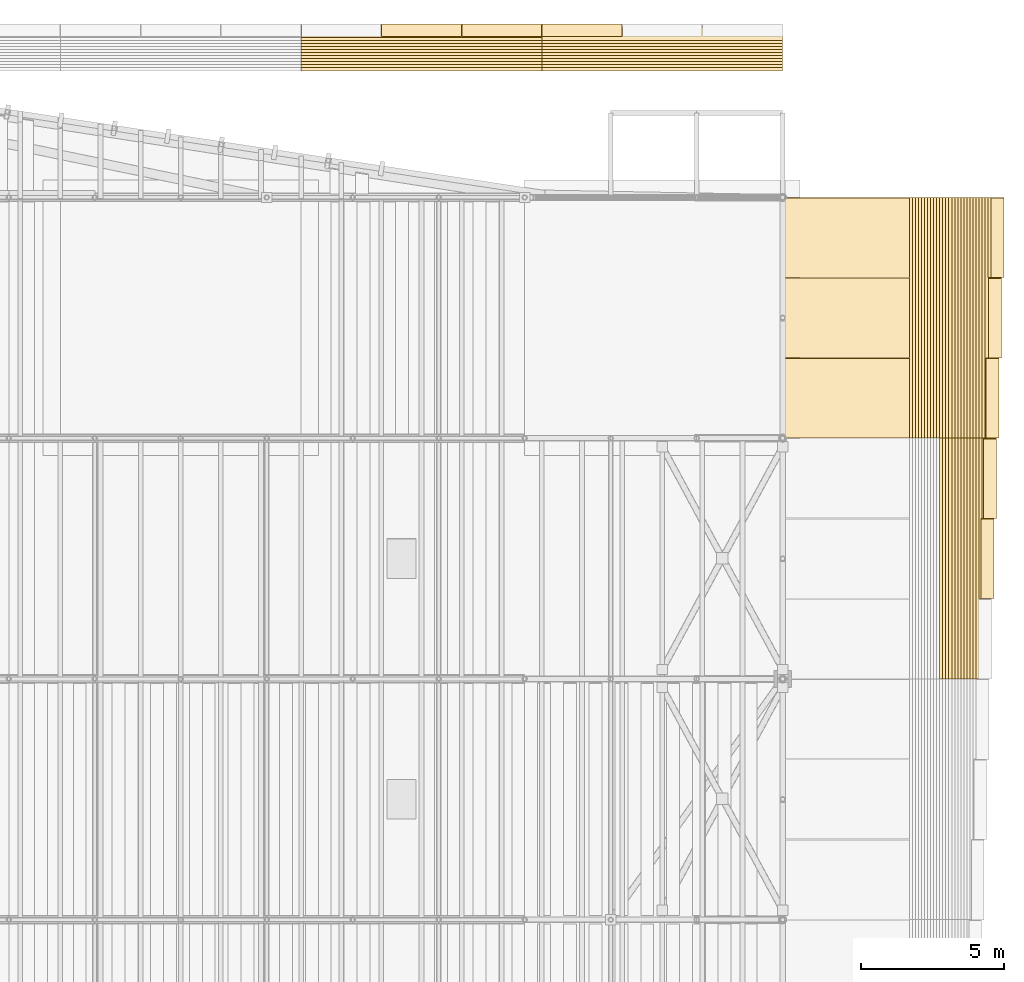
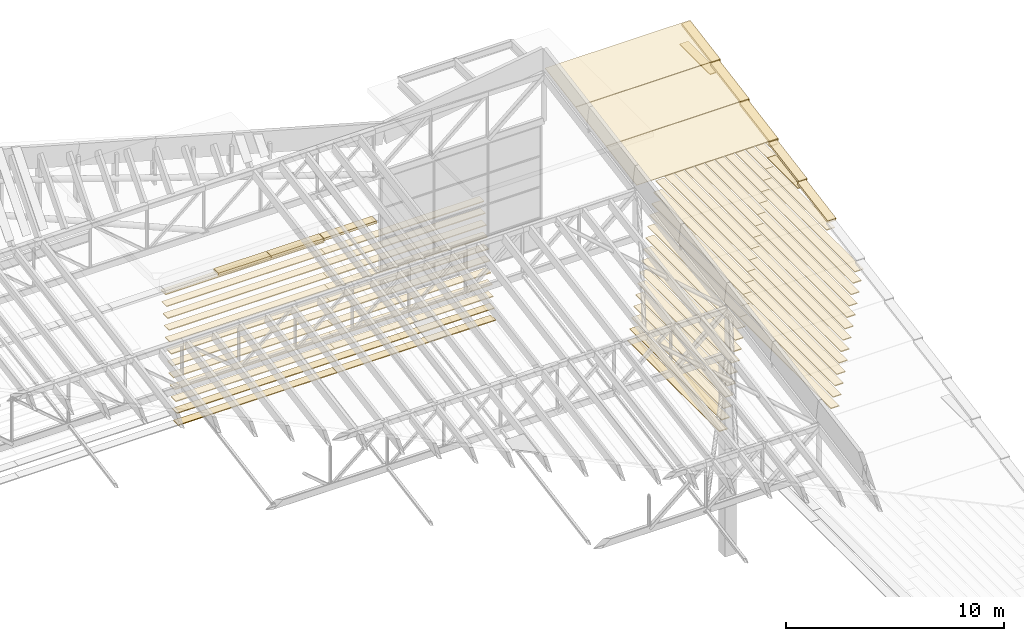
# One storey, part 90 of 91: 76 coverings.
"""IFC4 building model written with IfcOpenShell, lengths in metres."""

from ifc_helpers import new_model, si_unit, direction, frame, origin, origin_2d, place, context, subcontext, project, spatial, polyline, rectangle, outline, extrude, material, layer, layer_set, material_profile, profile_set, type_object, element, save


model = new_model("IFC4")

# Units and contexts
model_context = context("Model", 3, precision=1e-05, world=origin(), true_north=direction((0.0, 1.0)))
body_context = subcontext(model_context, "Body", "Model", "MODEL_VIEW")
ifc_project = project(units=[si_unit("LENGTHUNIT", "METRE"), si_unit("AREAUNIT", "SQUARE_METRE"), si_unit("VOLUMEUNIT", "CUBIC_METRE"), si_unit("PLANEANGLEUNIT", "RADIAN"), si_unit("MASSUNIT", "GRAM", prefix="KILO")], contexts=[model_context])

# Site, building, storey
site_placement = place(None, origin())
site = spatial("IfcSite", under=ifc_project, at=site_placement, CompositionType="ELEMENT")
building_placement = place(site_placement, origin())
building = spatial("IfcBuilding", under=site, at=building_placement, Name="Almond Square Museum", CompositionType="ELEMENT")
storey_placement = place(building_placement, frame((0.0, 0.0, 30.0)))
storey = spatial("IfcBuildingStorey", under=building, at=storey_placement, Name="L05", CompositionType="ELEMENT", Elevation=30.0)

# Coverings
ifc_material_1 = material(Name="Cedar timber louvre board", Category="wood")
ifc_material_profile_1 = material_profile(ifc_material_1, rectangle(XDim=0.449951171875, YDim=0.050048828125, at=origin_2d()))
ifc_profile_set_1 = profile_set([ifc_material_profile_1], Name="Cedar timber louvre board")
covering_type_1 = type_object("IfcCoveringType", Name="Louvre board 450 x 50", PredefinedType="CLADDING", material=ifc_profile_set_1)
covering_1_placement = place(storey_placement, frame((132.0, 113.843994140625, 0.10009765625), z_axis=(1.0, 0.0, 0.0), x_axis=(0.0, 1.0, 0.0)))
element("IfcCovering", 1, at=covering_1_placement, inside=storey, type_object=covering_type_1, Name="Louvre board N39.04", PredefinedType="CLADDING", context=body_context, shape_type="SweptSolid", body=[
    extrude(rectangle(XDim=0.449951171875, YDim=0.050048828125, at=origin_2d()), origin(), (0.0, 0.0, 1.0), 8.39990234375),
])
covering_2_placement = place(storey_placement, frame((140.39990234375, 113.843994140625, 0.10009765625), z_axis=(1.0, 0.0, 0.0), x_axis=(0.0, 1.0, 0.0)))
element("IfcCovering", 2, at=covering_2_placement, inside=storey, type_object=covering_type_1, Name="Louvre board N39.05", PredefinedType="CLADDING", context=body_context, shape_type="SweptSolid", body=[
    extrude(rectangle(XDim=0.449951171875, YDim=0.050048828125, at=origin_2d()), origin(), (0.0, 0.0, 1.0), 8.400146484375),
])
covering_3_placement = place(storey_placement, frame((132.0, 113.949951171875, 0.699951171875), z_axis=(1.0, 0.0, 0.0), x_axis=(0.0, 1.0, 0.0)))
element("IfcCovering", 3, at=covering_3_placement, inside=storey, type_object=covering_type_1, Name="Louvre board N40.04", PredefinedType="CLADDING", context=body_context, shape_type="SweptSolid", body=[
    extrude(rectangle(XDim=0.449951171875, YDim=0.050048828125, at=origin_2d()), origin(), (0.0, 0.0, 1.0), 8.39990234375),
])
covering_4_placement = place(storey_placement, frame((140.39990234375, 113.949951171875, 0.699951171875), z_axis=(1.0, 0.0, 0.0), x_axis=(0.0, 1.0, 0.0)))
element("IfcCovering", 4, at=covering_4_placement, inside=storey, type_object=covering_type_1, Name="Louvre board N40.05", PredefinedType="CLADDING", context=body_context, shape_type="SweptSolid", body=[
    extrude(rectangle(XDim=0.449951171875, YDim=0.050048828125, at=origin_2d()), origin(), (0.0, 0.0, 1.0), 8.400146484375),
])
covering_5_placement = place(storey_placement, frame((132.0, 114.0556640625, 1.300048828125), z_axis=(1.0, 0.0, 0.0), x_axis=(0.0, 1.0, 0.0)))
element("IfcCovering", 5, at=covering_5_placement, inside=storey, type_object=covering_type_1, Name="Louvre board N41.04", PredefinedType="CLADDING", context=body_context, shape_type="SweptSolid", body=[
    extrude(rectangle(XDim=0.449951171875, YDim=0.050048828125, at=origin_2d()), origin(), (0.0, 0.0, 1.0), 8.39990234375),
])
covering_6_placement = place(storey_placement, frame((140.39990234375, 114.0556640625, 1.300048828125), z_axis=(1.0, 0.0, 0.0), x_axis=(0.0, 1.0, 0.0)))
element("IfcCovering", 6, at=covering_6_placement, inside=storey, type_object=covering_type_1, Name="Louvre board N41.05", PredefinedType="CLADDING", context=body_context, shape_type="SweptSolid", body=[
    extrude(rectangle(XDim=0.449951171875, YDim=0.050048828125, at=origin_2d()), origin(), (0.0, 0.0, 1.0), 8.400146484375),
])
covering_7_placement = place(storey_placement, frame((132.0, 114.161376953125, 1.89990234375), z_axis=(1.0, 0.0, 0.0), x_axis=(0.0, 1.0, 0.0)))
element("IfcCovering", 7, at=covering_7_placement, inside=storey, type_object=covering_type_1, Name="Louvre board N42.04", PredefinedType="CLADDING", context=body_context, shape_type="SweptSolid", body=[
    extrude(rectangle(XDim=0.449951171875, YDim=0.050048828125, at=origin_2d()), origin(), (0.0, 0.0, 1.0), 8.39990234375),
])
covering_8_placement = place(storey_placement, frame((140.39990234375, 114.161376953125, 1.89990234375), z_axis=(1.0, 0.0, 0.0), x_axis=(0.0, 1.0, 0.0)))
element("IfcCovering", 8, at=covering_8_placement, inside=storey, type_object=covering_type_1, Name="Louvre board N42.05", PredefinedType="CLADDING", context=body_context, shape_type="SweptSolid", body=[
    extrude(rectangle(XDim=0.449951171875, YDim=0.050048828125, at=origin_2d()), origin(), (0.0, 0.0, 1.0), 8.400146484375),
])
covering_9_placement = place(storey_placement, frame((132.0, 114.267333984375, 2.5), z_axis=(1.0, 0.0, 0.0), x_axis=(0.0, 1.0, 0.0)))
element("IfcCovering", 9, at=covering_9_placement, inside=storey, type_object=covering_type_1, Name="Louvre board N43.04", PredefinedType="CLADDING", context=body_context, shape_type="SweptSolid", body=[
    extrude(rectangle(XDim=0.449951171875, YDim=0.050048828125, at=origin_2d()), origin(), (0.0, 0.0, 1.0), 8.39990234375),
])
covering_10_placement = place(storey_placement, frame((140.39990234375, 114.267333984375, 2.5), z_axis=(1.0, 0.0, 0.0), x_axis=(0.0, 1.0, 0.0)))
element("IfcCovering", 10, at=covering_10_placement, inside=storey, type_object=covering_type_1, Name="Louvre board N43.05", PredefinedType="CLADDING", context=body_context, shape_type="SweptSolid", body=[
    extrude(rectangle(XDim=0.449951171875, YDim=0.050048828125, at=origin_2d()), origin(), (0.0, 0.0, 1.0), 8.400146484375),
])
covering_11_placement = place(storey_placement, frame((132.0, 114.373046875, 3.10009765625), z_axis=(1.0, 0.0, 0.0), x_axis=(0.0, 1.0, 0.0)))
element("IfcCovering", 11, at=covering_11_placement, inside=storey, type_object=covering_type_1, Name="Louvre board N44.04", PredefinedType="CLADDING", context=body_context, shape_type="SweptSolid", body=[
    extrude(rectangle(XDim=0.449951171875, YDim=0.050048828125, at=origin_2d()), origin(), (0.0, 0.0, 1.0), 8.39990234375),
])
covering_12_placement = place(storey_placement, frame((140.39990234375, 114.373046875, 3.10009765625), z_axis=(1.0, 0.0, 0.0), x_axis=(0.0, 1.0, 0.0)))
element("IfcCovering", 12, at=covering_12_placement, inside=storey, type_object=covering_type_1, Name="Louvre board N44.05", PredefinedType="CLADDING", context=body_context, shape_type="SweptSolid", body=[
    extrude(rectangle(XDim=0.449951171875, YDim=0.050048828125, at=origin_2d()), origin(), (0.0, 0.0, 1.0), 8.400146484375),
])
covering_13_placement = place(storey_placement, frame((132.0, 114.478759765625, 3.699951171875), z_axis=(1.0, 0.0, 0.0), x_axis=(0.0, 1.0, 0.0)))
element("IfcCovering", 13, at=covering_13_placement, inside=storey, type_object=covering_type_1, Name="Louvre board N45.04", PredefinedType="CLADDING", context=body_context, shape_type="SweptSolid", body=[
    extrude(rectangle(XDim=0.449951171875, YDim=0.050048828125, at=origin_2d()), origin(), (0.0, 0.0, 1.0), 8.39990234375),
])
covering_14_placement = place(storey_placement, frame((140.39990234375, 114.478759765625, 3.699951171875), z_axis=(1.0, 0.0, 0.0), x_axis=(0.0, 1.0, 0.0)))
element("IfcCovering", 14, at=covering_14_placement, inside=storey, type_object=covering_type_1, Name="Louvre board N45.05", PredefinedType="CLADDING", context=body_context, shape_type="SweptSolid", body=[
    extrude(rectangle(XDim=0.449951171875, YDim=0.050048828125, at=origin_2d()), origin(), (0.0, 0.0, 1.0), 8.400146484375),
])
covering_15_placement = place(storey_placement, frame((132.0, 114.584716796875, 4.300048828125), z_axis=(1.0, 0.0, 0.0), x_axis=(0.0, 1.0, 0.0)))
element("IfcCovering", 15, at=covering_15_placement, inside=storey, type_object=covering_type_1, Name="Louvre board N46.04", PredefinedType="CLADDING", context=body_context, shape_type="SweptSolid", body=[
    extrude(rectangle(XDim=0.449951171875, YDim=0.050048828125, at=origin_2d()), origin(), (0.0, 0.0, 1.0), 8.39990234375),
])
covering_16_placement = place(storey_placement, frame((140.39990234375, 114.584716796875, 4.300048828125), z_axis=(1.0, 0.0, 0.0), x_axis=(0.0, 1.0, 0.0)))
element("IfcCovering", 16, at=covering_16_placement, inside=storey, type_object=covering_type_1, Name="Louvre board N46.05", PredefinedType="CLADDING", context=body_context, shape_type="SweptSolid", body=[
    extrude(rectangle(XDim=0.449951171875, YDim=0.050048828125, at=origin_2d()), origin(), (0.0, 0.0, 1.0), 8.400146484375),
])
covering_17_placement = place(storey_placement, frame((132.0, 114.6904296875, 4.89990234375), z_axis=(1.0, 0.0, 0.0), x_axis=(0.0, 1.0, 0.0)))
element("IfcCovering", 17, at=covering_17_placement, inside=storey, type_object=covering_type_1, Name="Louvre board N47.04", PredefinedType="CLADDING", context=body_context, shape_type="SweptSolid", body=[
    extrude(rectangle(XDim=0.449951171875, YDim=0.050048828125, at=origin_2d()), origin(), (0.0, 0.0, 1.0), 8.39990234375),
])
covering_18_placement = place(storey_placement, frame((140.39990234375, 114.6904296875, 4.89990234375), z_axis=(1.0, 0.0, 0.0), x_axis=(0.0, 1.0, 0.0)))
element("IfcCovering", 18, at=covering_18_placement, inside=storey, type_object=covering_type_1, Name="Louvre board N47.05", PredefinedType="CLADDING", context=body_context, shape_type="SweptSolid", body=[
    extrude(rectangle(XDim=0.449951171875, YDim=0.050048828125, at=origin_2d()), origin(), (0.0, 0.0, 1.0), 8.400146484375),
])
covering_19_placement = place(storey_placement, frame((132.0, 114.796142578125, 5.5), z_axis=(1.0, 0.0, 0.0), x_axis=(0.0, 1.0, 0.0)))
element("IfcCovering", 19, at=covering_19_placement, inside=storey, type_object=covering_type_1, Name="Louvre board N48.04", PredefinedType="CLADDING", context=body_context, shape_type="SweptSolid", body=[
    extrude(rectangle(XDim=0.449951171875, YDim=0.050048828125, at=origin_2d()), origin(), (0.0, 0.0, 1.0), 8.39990234375),
])
covering_20_placement = place(storey_placement, frame((140.39990234375, 114.796142578125, 5.5), z_axis=(1.0, 0.0, 0.0), x_axis=(0.0, 1.0, 0.0)))
element("IfcCovering", 20, at=covering_20_placement, inside=storey, type_object=covering_type_1, Name="Louvre board N48.05", PredefinedType="CLADDING", context=body_context, shape_type="SweptSolid", body=[
    extrude(rectangle(XDim=0.449951171875, YDim=0.050048828125, at=origin_2d()), origin(), (0.0, 0.0, 1.0), 8.400146484375),
])
covering_21_placement = place(storey_placement, frame((132.0, 114.902099609375, 6.10009765625), z_axis=(1.0, 0.0, 0.0), x_axis=(0.0, 1.0, 0.0)))
element("IfcCovering", 21, at=covering_21_placement, inside=storey, type_object=covering_type_1, Name="Louvre board N49.04", PredefinedType="CLADDING", context=body_context, shape_type="SweptSolid", body=[
    extrude(rectangle(XDim=0.449951171875, YDim=0.050048828125, at=origin_2d()), origin(), (0.0, 0.0, 1.0), 8.39990234375),
])
covering_22_placement = place(storey_placement, frame((140.39990234375, 114.902099609375, 6.10009765625), z_axis=(1.0, 0.0, 0.0), x_axis=(0.0, 1.0, 0.0)))
element("IfcCovering", 22, at=covering_22_placement, inside=storey, type_object=covering_type_1, Name="Louvre board N49.05", PredefinedType="CLADDING", context=body_context, shape_type="SweptSolid", body=[
    extrude(rectangle(XDim=0.449951171875, YDim=0.050048828125, at=origin_2d()), origin(), (0.0, 0.0, 1.0), 8.400146484375),
])
for number, where, z_axis, x_axis, name in (
    (23, (132.0, 115.0078125, 6.699951171875), (1.0, 0.0, 0.0), (0.0, 1.0, 0.0), "Louvre board N50.04"),
    (24, (153.444091796875, 100.800048828125, 0.10009765625), (0.0, 1.0, 0.0), (-1.0, 0.0, 0.0), "Louvre board E13.07"),
    (25, (153.5498046875, 100.800048828125, 0.699951171875), (0.0, 1.0, 0.0), (-1.0, 0.0, 0.0), "Louvre board E14.07"),
    (26, (153.65576171875, 100.800048828125, 1.300048828125), (0.0, 1.0, 0.0), (-1.0, 0.0, 0.0), "Louvre board E15.07"),
    (27, (153.761474609375, 100.800048828125, 1.89990234375), (0.0, 1.0, 0.0), (-1.0, 0.0, 0.0), "Louvre board E16.07"),
    (28, (153.8671875, 100.800048828125, 2.5), (0.0, 1.0, 0.0), (-1.0, 0.0, 0.0), "Louvre board E17.07"),
    (29, (153.97314453125, 100.800048828125, 3.10009765625), (0.0, 1.0, 0.0), (-1.0, 0.0, 0.0), "Louvre board E18.07"),
    (30, (154.078857421875, 100.800048828125, 3.699951171875), (0.0, 1.0, 0.0), (-1.0, 0.0, 0.0), "Louvre board E19.07"),
    (31, (154.1845703125, 100.800048828125, 4.300048828125), (0.0, 1.0, 0.0), (-1.0, 0.0, 0.0), "Louvre board E20.07"),
    (32, (154.29052734375, 100.800048828125, 4.89990234375), (0.0, 1.0, 0.0), (-1.0, 0.0, 0.0), "Louvre board E21.07"),
    (33, (154.396240234375, 100.800048828125, 5.5), (0.0, 1.0, 0.0), (-1.0, 0.0, 0.0), "Louvre board E22.07"),
):
    element("IfcCovering", number, at=place(storey_placement, frame(where, z_axis=z_axis, x_axis=x_axis)), inside=storey, type_object=covering_type_1, Name=name, PredefinedType="CLADDING", context=body_context, shape_type="SweptSolid", body=[
        extrude(rectangle(XDim=0.449951171875, YDim=0.050048828125, at=origin_2d()), origin(), (0.0, 0.0, 1.0), 8.39990234375),
    ])
covering_23_placement = place(storey_placement, frame((154.501953125, 92.39990234375, 6.10009765625), z_axis=(0.0, 1.0, 0.0), x_axis=(-1.0, 0.0, 0.0)))
element("IfcCovering", 34, at=covering_23_placement, inside=storey, type_object=covering_type_1, Name="Louvre board E23.06", PredefinedType="CLADDING", context=body_context, shape_type="SweptSolid", body=[
    extrude(rectangle(XDim=0.449951171875, YDim=0.050048828125, at=origin_2d()), origin(), (0.0, 0.0, 1.0), 8.400146484375),
])
covering_24_placement = place(storey_placement, frame((154.501953125, 100.800048828125, 6.10009765625), z_axis=(0.0, 1.0, 0.0), x_axis=(-1.0, 0.0, 0.0)))
element("IfcCovering", 35, at=covering_24_placement, inside=storey, type_object=covering_type_1, Name="Louvre board E23.07", PredefinedType="CLADDING", context=body_context, shape_type="SweptSolid", body=[
    extrude(rectangle(XDim=0.449951171875, YDim=0.050048828125, at=origin_2d()), origin(), (0.0, 0.0, 1.0), 8.39990234375),
])
covering_25_placement = place(storey_placement, frame((154.60791015625, 92.39990234375, 6.699951171875), z_axis=(0.0, 1.0, 0.0), x_axis=(-1.0, 0.0, 0.0)))
element("IfcCovering", 36, at=covering_25_placement, inside=storey, type_object=covering_type_1, Name="Louvre board E24.06", PredefinedType="CLADDING", context=body_context, shape_type="SweptSolid", body=[
    extrude(rectangle(XDim=0.449951171875, YDim=0.050048828125, at=origin_2d()), origin(), (0.0, 0.0, 1.0), 8.400146484375),
])
covering_26_placement = place(storey_placement, frame((154.60791015625, 100.800048828125, 6.699951171875), z_axis=(0.0, 1.0, 0.0), x_axis=(-1.0, 0.0, 0.0)))
element("IfcCovering", 37, at=covering_26_placement, inside=storey, type_object=covering_type_1, Name="Louvre board E24.07", PredefinedType="CLADDING", context=body_context, shape_type="SweptSolid", body=[
    extrude(rectangle(XDim=0.449951171875, YDim=0.050048828125, at=origin_2d()), origin(), (0.0, 0.0, 1.0), 8.39990234375),
])
covering_27_placement = place(storey_placement, frame((154.713623046875, 92.39990234375, 7.300048828125), z_axis=(0.0, 1.0, 0.0), x_axis=(-1.0, 0.0, 0.0)))
element("IfcCovering", 38, at=covering_27_placement, inside=storey, type_object=covering_type_1, Name="Louvre board E25.06", PredefinedType="CLADDING", context=body_context, shape_type="SweptSolid", body=[
    extrude(rectangle(XDim=0.449951171875, YDim=0.050048828125, at=origin_2d()), origin(), (0.0, 0.0, 1.0), 8.400146484375),
])
covering_28_placement = place(storey_placement, frame((154.713623046875, 100.800048828125, 7.300048828125), z_axis=(0.0, 1.0, 0.0), x_axis=(-1.0, 0.0, 0.0)))
element("IfcCovering", 39, at=covering_28_placement, inside=storey, type_object=covering_type_1, Name="Louvre board E25.07", PredefinedType="CLADDING", context=body_context, shape_type="SweptSolid", body=[
    extrude(rectangle(XDim=0.449951171875, YDim=0.050048828125, at=origin_2d()), origin(), (0.0, 0.0, 1.0), 8.39990234375),
])
covering_29_placement = place(storey_placement, frame((154.8193359375, 92.39990234375, 7.89990234375), z_axis=(0.0, 1.0, 0.0), x_axis=(-1.0, 0.0, 0.0)))
element("IfcCovering", 40, at=covering_29_placement, inside=storey, type_object=covering_type_1, Name="Louvre board E26.05", PredefinedType="CLADDING", context=body_context, shape_type="SweptSolid", body=[
    extrude(rectangle(XDim=0.449951171875, YDim=0.050048828125, at=origin_2d()), origin(), (0.0, 0.0, 1.0), 8.400146484375),
])
covering_30_placement = place(storey_placement, frame((154.8193359375, 100.800048828125, 7.89990234375), z_axis=(0.0, 1.0, 0.0), x_axis=(-1.0, 0.0, 0.0)))
element("IfcCovering", 41, at=covering_30_placement, inside=storey, type_object=covering_type_1, Name="Louvre board E26.06", PredefinedType="CLADDING", context=body_context, shape_type="SweptSolid", body=[
    extrude(rectangle(XDim=0.449951171875, YDim=0.050048828125, at=origin_2d()), origin(), (0.0, 0.0, 1.0), 8.39990234375),
])
covering_31_placement = place(storey_placement, frame((154.92529296875, 92.39990234375, 8.5), z_axis=(0.0, 1.0, 0.0), x_axis=(-1.0, 0.0, 0.0)))
element("IfcCovering", 42, at=covering_31_placement, inside=storey, type_object=covering_type_1, Name="Louvre board E27.05", PredefinedType="CLADDING", context=body_context, shape_type="SweptSolid", body=[
    extrude(rectangle(XDim=0.449951171875, YDim=0.050048828125, at=origin_2d()), origin(), (0.0, 0.0, 1.0), 8.400146484375),
])
covering_32_placement = place(storey_placement, frame((154.92529296875, 100.800048828125, 8.5), z_axis=(0.0, 1.0, 0.0), x_axis=(-1.0, 0.0, 0.0)))
element("IfcCovering", 43, at=covering_32_placement, inside=storey, type_object=covering_type_1, Name="Louvre board E27.06", PredefinedType="CLADDING", context=body_context, shape_type="SweptSolid", body=[
    extrude(rectangle(XDim=0.449951171875, YDim=0.050048828125, at=origin_2d()), origin(), (0.0, 0.0, 1.0), 8.39990234375),
])
covering_33_placement = place(storey_placement, frame((155.031005859375, 92.39990234375, 9.10009765625), z_axis=(0.0, 1.0, 0.0), x_axis=(-1.0, 0.0, 0.0)))
element("IfcCovering", 44, at=covering_33_placement, inside=storey, type_object=covering_type_1, Name="Louvre board E28.04", PredefinedType="CLADDING", context=body_context, shape_type="SweptSolid", body=[
    extrude(rectangle(XDim=0.449951171875, YDim=0.050048828125, at=origin_2d()), origin(), (0.0, 0.0, 1.0), 8.400146484375),
])
covering_34_placement = place(storey_placement, frame((155.031005859375, 100.800048828125, 9.10009765625), z_axis=(0.0, 1.0, 0.0), x_axis=(-1.0, 0.0, 0.0)))
element("IfcCovering", 45, at=covering_34_placement, inside=storey, type_object=covering_type_1, Name="Louvre board E28.05", PredefinedType="CLADDING", context=body_context, shape_type="SweptSolid", body=[
    extrude(rectangle(XDim=0.449951171875, YDim=0.050048828125, at=origin_2d()), origin(), (0.0, 0.0, 1.0), 8.39990234375),
])
covering_35_placement = place(storey_placement, frame((155.13671875, 92.39990234375, 9.699951171875), z_axis=(0.0, 1.0, 0.0), x_axis=(-1.0, 0.0, 0.0)))
element("IfcCovering", 46, at=covering_35_placement, inside=storey, type_object=covering_type_1, Name="Louvre board E29.04", PredefinedType="CLADDING", context=body_context, shape_type="SweptSolid", body=[
    extrude(rectangle(XDim=0.449951171875, YDim=0.050048828125, at=origin_2d()), origin(), (0.0, 0.0, 1.0), 8.400146484375),
])
covering_36_placement = place(storey_placement, frame((155.13671875, 100.800048828125, 9.699951171875), z_axis=(0.0, 1.0, 0.0), x_axis=(-1.0, 0.0, 0.0)))
element("IfcCovering", 47, at=covering_36_placement, inside=storey, type_object=covering_type_1, Name="Louvre board E29.05", PredefinedType="CLADDING", context=body_context, shape_type="SweptSolid", body=[
    extrude(rectangle(XDim=0.449951171875, YDim=0.050048828125, at=origin_2d()), origin(), (0.0, 0.0, 1.0), 8.39990234375),
])
covering_37_placement = place(storey_placement, frame((155.24267578125, 92.39990234375, 10.300048828125), z_axis=(0.0, 1.0, 0.0), x_axis=(-1.0, 0.0, 0.0)))
element("IfcCovering", 48, at=covering_37_placement, inside=storey, type_object=covering_type_1, Name="Louvre board E30.03", PredefinedType="CLADDING", context=body_context, shape_type="SweptSolid", body=[
    extrude(rectangle(XDim=0.449951171875, YDim=0.050048828125, at=origin_2d()), origin(), (0.0, 0.0, 1.0), 8.400146484375),
])
covering_38_placement = place(storey_placement, frame((155.24267578125, 100.800048828125, 10.300048828125), z_axis=(0.0, 1.0, 0.0), x_axis=(-1.0, 0.0, 0.0)))
element("IfcCovering", 49, at=covering_38_placement, inside=storey, type_object=covering_type_1, Name="Louvre board E30.04", PredefinedType="CLADDING", context=body_context, shape_type="SweptSolid", body=[
    extrude(rectangle(XDim=0.449951171875, YDim=0.050048828125, at=origin_2d()), origin(), (0.0, 0.0, 1.0), 8.39990234375),
])
covering_39_placement = place(storey_placement, frame((155.348388671875, 92.39990234375, 10.89990234375), z_axis=(0.0, 1.0, 0.0), x_axis=(-1.0, 0.0, 0.0)))
element("IfcCovering", 50, at=covering_39_placement, inside=storey, type_object=covering_type_1, Name="Louvre board E31.03", PredefinedType="CLADDING", context=body_context, shape_type="SweptSolid", body=[
    extrude(rectangle(XDim=0.449951171875, YDim=0.050048828125, at=origin_2d()), origin(), (0.0, 0.0, 1.0), 8.400146484375),
])
covering_40_placement = place(storey_placement, frame((155.348388671875, 100.800048828125, 10.89990234375), z_axis=(0.0, 1.0, 0.0), x_axis=(-1.0, 0.0, 0.0)))
element("IfcCovering", 51, at=covering_40_placement, inside=storey, type_object=covering_type_1, Name="Louvre board E31.04", PredefinedType="CLADDING", context=body_context, shape_type="SweptSolid", body=[
    extrude(rectangle(XDim=0.449951171875, YDim=0.050048828125, at=origin_2d()), origin(), (0.0, 0.0, 1.0), 8.39990234375),
])
covering_41_placement = place(storey_placement, frame((155.4541015625, 92.39990234375, 11.5), z_axis=(0.0, 1.0, 0.0), x_axis=(-1.0, 0.0, 0.0)))
element("IfcCovering", 52, at=covering_41_placement, inside=storey, type_object=covering_type_1, Name="Louvre board E32.03", PredefinedType="CLADDING", context=body_context, shape_type="SweptSolid", body=[
    extrude(rectangle(XDim=0.449951171875, YDim=0.050048828125, at=origin_2d()), origin(), (0.0, 0.0, 1.0), 8.400146484375),
])
covering_42_placement = place(storey_placement, frame((155.4541015625, 100.800048828125, 11.5), z_axis=(0.0, 1.0, 0.0), x_axis=(-1.0, 0.0, 0.0)))
element("IfcCovering", 53, at=covering_42_placement, inside=storey, type_object=covering_type_1, Name="Louvre board E32.04", PredefinedType="CLADDING", context=body_context, shape_type="SweptSolid", body=[
    extrude(rectangle(XDim=0.449951171875, YDim=0.050048828125, at=origin_2d()), origin(), (0.0, 0.0, 1.0), 8.39990234375),
])
covering_43_placement = place(storey_placement, frame((155.56005859375, 92.39990234375, 12.10009765625), z_axis=(0.0, 1.0, 0.0), x_axis=(-1.0, 0.0, 0.0)))
element("IfcCovering", 54, at=covering_43_placement, inside=storey, type_object=covering_type_1, Name="Louvre board E33.02", PredefinedType="CLADDING", context=body_context, shape_type="SweptSolid", body=[
    extrude(rectangle(XDim=0.449951171875, YDim=0.050048828125, at=origin_2d()), origin(), (0.0, 0.0, 1.0), 8.400146484375),
])
covering_44_placement = place(storey_placement, frame((155.56005859375, 100.800048828125, 12.10009765625), z_axis=(0.0, 1.0, 0.0), x_axis=(-1.0, 0.0, 0.0)))
element("IfcCovering", 55, at=covering_44_placement, inside=storey, type_object=covering_type_1, Name="Louvre board E33.03", PredefinedType="CLADDING", context=body_context, shape_type="SweptSolid", body=[
    extrude(rectangle(XDim=0.449951171875, YDim=0.050048828125, at=origin_2d()), origin(), (0.0, 0.0, 1.0), 8.39990234375),
])
covering_45_placement = place(storey_placement, frame((155.665771484375, 92.39990234375, 12.699951171875), z_axis=(0.0, 1.0, 0.0), x_axis=(-1.0, 0.0, 0.0)))
element("IfcCovering", 56, at=covering_45_placement, inside=storey, type_object=covering_type_1, Name="Louvre board E34.02", PredefinedType="CLADDING", context=body_context, shape_type="SweptSolid", body=[
    extrude(rectangle(XDim=0.449951171875, YDim=0.050048828125, at=origin_2d()), origin(), (0.0, 0.0, 1.0), 8.400146484375),
])
covering_46_placement = place(storey_placement, frame((155.665771484375, 100.800048828125, 12.699951171875), z_axis=(0.0, 1.0, 0.0), x_axis=(-1.0, 0.0, 0.0)))
element("IfcCovering", 57, at=covering_46_placement, inside=storey, type_object=covering_type_1, Name="Louvre board E34.03", PredefinedType="CLADDING", context=body_context, shape_type="SweptSolid", body=[
    extrude(rectangle(XDim=0.449951171875, YDim=0.050048828125, at=origin_2d()), origin(), (0.0, 0.0, 1.0), 8.39990234375),
])
covering_47_placement = place(storey_placement, frame((155.771728515625, 92.39990234375, 13.300048828125), z_axis=(0.0, 1.0, 0.0), x_axis=(-1.0, 0.0, 0.0)))
element("IfcCovering", 58, at=covering_47_placement, inside=storey, type_object=covering_type_1, Name="Louvre board E35.01", PredefinedType="CLADDING", context=body_context, shape_type="SweptSolid", body=[
    extrude(rectangle(XDim=0.449951171875, YDim=0.050048828125, at=origin_2d()), origin(), (0.0, 0.0, 1.0), 8.400146484375),
])
covering_48_placement = place(storey_placement, frame((155.771728515625, 100.800048828125, 13.300048828125), z_axis=(0.0, 1.0, 0.0), x_axis=(-1.0, 0.0, 0.0)))
element("IfcCovering", 59, at=covering_48_placement, inside=storey, type_object=covering_type_1, Name="Louvre board E35.02", PredefinedType="CLADDING", context=body_context, shape_type="SweptSolid", body=[
    extrude(rectangle(XDim=0.449951171875, YDim=0.050048828125, at=origin_2d()), origin(), (0.0, 0.0, 1.0), 8.39990234375),
])
covering_49_placement = place(storey_placement, frame((155.87744140625, 95.199951171875, 13.89990234375), z_axis=(0.0, 1.0, 0.0), x_axis=(-1.0, 0.0, 0.0)))
element("IfcCovering", 60, at=covering_49_placement, inside=storey, type_object=covering_type_1, Name="Louvre board E36.01", PredefinedType="CLADDING", context=body_context, shape_type="SweptSolid", body=[
    extrude(rectangle(XDim=0.449951171875, YDim=0.050048828125, at=origin_2d()), origin(), (0.0, 0.0, 1.0), 5.60009765625),
])
covering_50_placement = place(storey_placement, frame((155.87744140625, 100.800048828125, 13.89990234375), z_axis=(0.0, 1.0, 0.0), x_axis=(-1.0, 0.0, 0.0)))
element("IfcCovering", 61, at=covering_50_placement, inside=storey, type_object=covering_type_1, Name="Louvre board E36.02", PredefinedType="CLADDING", context=body_context, shape_type="SweptSolid", body=[
    extrude(rectangle(XDim=0.449951171875, YDim=0.050048828125, at=origin_2d()), origin(), (0.0, 0.0, 1.0), 8.39990234375),
])
covering_51_placement = place(storey_placement, frame((155.983154296875, 98.0, 14.5), z_axis=(0.0, 1.0, 0.0), x_axis=(-1.0, 0.0, 0.0)))
element("IfcCovering", 62, at=covering_51_placement, inside=storey, type_object=covering_type_1, Name="Louvre board E37.01", PredefinedType="CLADDING", context=body_context, shape_type="SweptSolid", body=[
    extrude(rectangle(XDim=0.449951171875, YDim=0.050048828125, at=origin_2d()), origin(), (0.0, 0.0, 1.0), 2.800048828125),
])
for number, where, z_axis, x_axis, name in (
    (63, (155.983154296875, 100.800048828125, 14.5), (0.0, 1.0, 0.0), (-1.0, 0.0, 0.0), "Louvre board E37.02"),
    (64, (156.089111328125, 100.800048828125, 15.10009765625), (0.0, 1.0, 0.0), (-1.0, 0.0, 0.0), "Louvre board E38.01"),
):
    element("IfcCovering", number, at=place(storey_placement, frame(where, z_axis=z_axis, x_axis=x_axis)), inside=storey, type_object=covering_type_1, Name=name, PredefinedType="CLADDING", context=body_context, shape_type="SweptSolid", body=[
        extrude(rectangle(XDim=0.449951171875, YDim=0.050048828125, at=origin_2d()), origin(), (0.0, 0.0, 1.0), 8.39990234375),
    ])
covering_52_placement = place(storey_placement, frame((156.19482421875, 106.39990234375, 15.699951171875), z_axis=(0.0, 1.0, 0.0), x_axis=(-1.0, 0.0, 0.0)))
element("IfcCovering", 65, at=covering_52_placement, inside=storey, type_object=covering_type_1, Name="Louvre board E39.01", PredefinedType="CLADDING", context=body_context, shape_type="SweptSolid", body=[
    extrude(rectangle(XDim=0.449951171875, YDim=0.050048828125, at=origin_2d()), origin(), (0.0, 0.0, 1.0), 2.800048828125),
])
ifc_material_2 = material(Name="Cedar timber sheathing panel", Category="wood")
ifc_layer = layer(ifc_material_2, 0.030029296875)
ifc_layer_set = layer_set([ifc_layer], Name="Cedar timber sheathing panel")
covering_type_2 = type_object("IfcCoveringType", Name="Louvre rain-screen backing panel 30", PredefinedType="CLADDING", material=ifc_layer_set)
covering_53_placement = place(storey_placement, frame((148.85009765625, 100.81005859375, 15.389892578125), z_axis=(0.0, -0.173074759692, 0.984908689959), x_axis=(1.0, 0.0, 0.0)))
element("IfcCovering", 66, at=covering_53_placement, inside=storey, type_object=covering_type_2, Name="Louvre rain-screen backing panel return E19", PredefinedType="CLADDING", context=body_context, shape_type="SweptSolid", body=[
    extrude(outline(polyline([(0.0, 0.0), (7.4990234375, 0.0), (7.4990234375, 2.822626427419791), (0.0, 2.822626427419791), (0.0, 0.0)])), frame((0.0, 0.0, -0.01513671875)), (0.0, 0.0, 1.0), 0.030029296875),
])
covering_54_placement = place(storey_placement, frame((148.85009765625, 103.610107421875, 15.8798828125), z_axis=(0.0, -0.173089504963, 0.984906098708), x_axis=(1.0, 0.0, 0.0)))
element("IfcCovering", 67, at=covering_54_placement, inside=storey, type_object=covering_type_2, Name="Louvre rain-screen backing panel return E20", PredefinedType="CLADDING", context=body_context, shape_type="SweptSolid", body=[
    extrude(outline(polyline([(0.0, 0.0), (7.58544921875, 0.0), (7.58544921875, 2.8223859715129587), (0.0, 2.8223859715129587), (0.0, 0.0)])), frame((0.0, 0.0, -0.01513671875)), (0.0, 0.0, 1.0), 0.030029296875),
])
covering_55_placement = place(storey_placement, frame((148.85009765625, 106.409912109375, 16.369873046875), z_axis=(0.0, -0.173074759692, 0.984908689959), x_axis=(1.0, 0.0, 0.0)))
element("IfcCovering", 68, at=covering_55_placement, inside=storey, type_object=covering_type_2, Name="Louvre rain-screen backing panel return E21", PredefinedType="CLADDING", context=body_context, shape_type="SweptSolid", body=[
    extrude(outline(polyline([(0.0, 0.0), (7.671875, 0.0), (7.671875, 2.822626427419791), (0.0, 2.822626427419791), (0.0, 0.0)])), frame((0.0, 0.0, -0.01513671875)), (0.0, 0.0, 1.0), 0.030029296875),
])
ifc_material_3 = material(Name="Cedar timber louvre board", Category="wood")
ifc_material_profile_2 = material_profile(ifc_material_3, rectangle(XDim=0.449951171875, YDim=0.139892578125, at=origin_2d()))
ifc_profile_set_2 = profile_set([ifc_material_profile_2], Name="Cedar timber louvre board")
covering_type_3 = type_object("IfcCoveringType", Name="Louvre skin fascia 450 x 140", PredefinedType="CLADDING", material=ifc_profile_set_2)
covering_56_placement = place(storey_placement, frame((134.81005859375, 115.03076171875, 6.830078125), z_axis=(1.0, 0.0, 0.0), x_axis=(0.0, 1.0, 0.0)))
element("IfcCovering", 69, at=covering_56_placement, inside=storey, type_object=covering_type_3, Name="Louvre skin fascia N11", PredefinedType="CLADDING", context=body_context, shape_type="SweptSolid", body=[
    extrude(rectangle(XDim=0.449951171875, YDim=0.139892578125, at=origin_2d()), origin(), (0.0, 0.0, 1.0), 2.780029296875),
])
covering_57_placement = place(storey_placement, frame((137.610107421875, 115.03076171875, 6.830078125), z_axis=(1.0, 0.0, 0.0), x_axis=(0.0, 1.0, 0.0)))
element("IfcCovering", 70, at=covering_57_placement, inside=storey, type_object=covering_type_3, Name="Louvre skin fascia N12", PredefinedType="CLADDING", context=body_context, shape_type="SweptSolid", body=[
    extrude(rectangle(XDim=0.449951171875, YDim=0.139892578125, at=origin_2d()), origin(), (0.0, 0.0, 1.0), 2.77978515625),
])
covering_58_placement = place(storey_placement, frame((140.409912109375, 115.03076171875, 6.830078125), z_axis=(1.0, 0.0, 0.0), x_axis=(0.0, 1.0, 0.0)))
element("IfcCovering", 71, at=covering_58_placement, inside=storey, type_object=covering_type_3, Name="Louvre skin fascia N13", PredefinedType="CLADDING", context=body_context, shape_type="SweptSolid", body=[
    extrude(rectangle(XDim=0.449951171875, YDim=0.139892578125, at=origin_2d()), origin(), (0.0, 0.0, 1.0), 2.780029296875),
])
for number, where, z_axis, x_axis, name in (
    (72, (155.951416015625, 95.2099609375, 14.31982421875), (0.0, 0.984908689959, 0.173074759692), (-1.0, 0.0, 0.0), "Louvre skin fascia E17"),
    (73, (156.037841796875, 98.010009765625, 14.809814453125), (0.0, 0.984908689959, 0.173074759692), (-1.0, 0.0, 0.0), "Louvre skin fascia E18"),
    (74, (156.124267578125, 100.81005859375, 15.2998046875), (0.0, 0.984908689959, 0.173074759692), (-1.0, 0.0, 0.0), "Louvre skin fascia E19"),
):
    element("IfcCovering", number, at=place(storey_placement, frame(where, z_axis=z_axis, x_axis=x_axis)), inside=storey, type_object=covering_type_3, Name=name, PredefinedType="CLADDING", context=body_context, shape_type="SweptSolid", body=[
        extrude(rectangle(XDim=0.449951171875, YDim=0.139892578125, at=origin_2d()), origin(), (0.0, 0.0, 1.0), 2.822509765625),
    ])
covering_59_placement = place(storey_placement, frame((156.210693359375, 103.610107421875, 15.789794921875), z_axis=(0.0, 0.984906098708, 0.173089504963), x_axis=(-1.0, 0.0, 0.0)))
element("IfcCovering", 75, at=covering_59_placement, inside=storey, type_object=covering_type_3, Name="Louvre skin fascia E20", PredefinedType="CLADDING", context=body_context, shape_type="SweptSolid", body=[
    extrude(rectangle(XDim=0.449951171875, YDim=0.139892578125, at=origin_2d()), origin(), (0.0, 0.0, 1.0), 2.822265625),
])
covering_60_placement = place(storey_placement, frame((156.297119140625, 106.409912109375, 16.27978515625), z_axis=(0.0, 0.984908689959, 0.173074759692), x_axis=(-1.0, 0.0, 0.0)))
element("IfcCovering", 76, at=covering_60_placement, inside=storey, type_object=covering_type_3, Name="Louvre skin fascia E21", PredefinedType="CLADDING", context=body_context, shape_type="SweptSolid", body=[
    extrude(rectangle(XDim=0.449951171875, YDim=0.139892578125, at=origin_2d()), origin(), (0.0, 0.0, 1.0), 2.822509765625),
])

save(model, "model.ifc")
